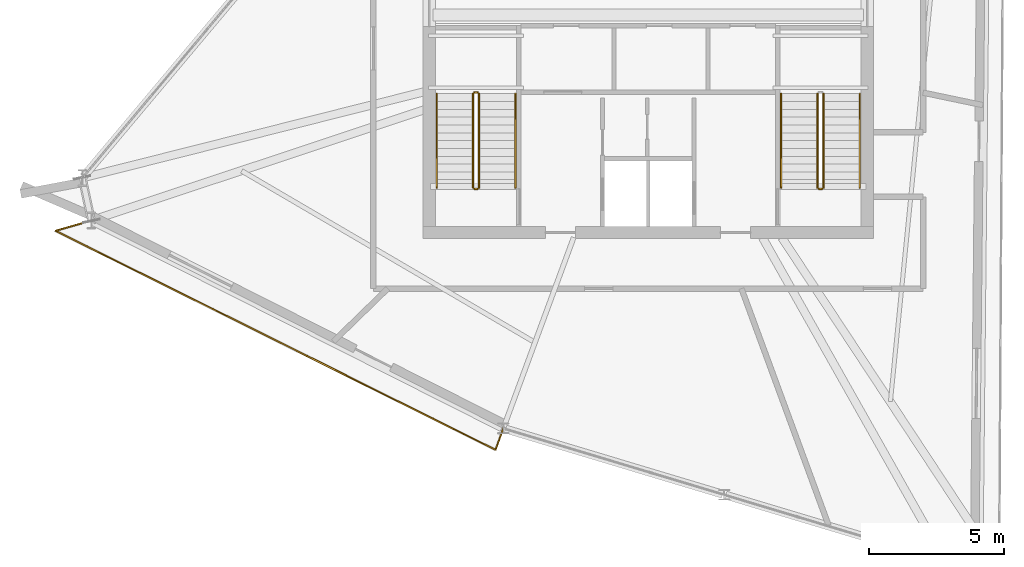
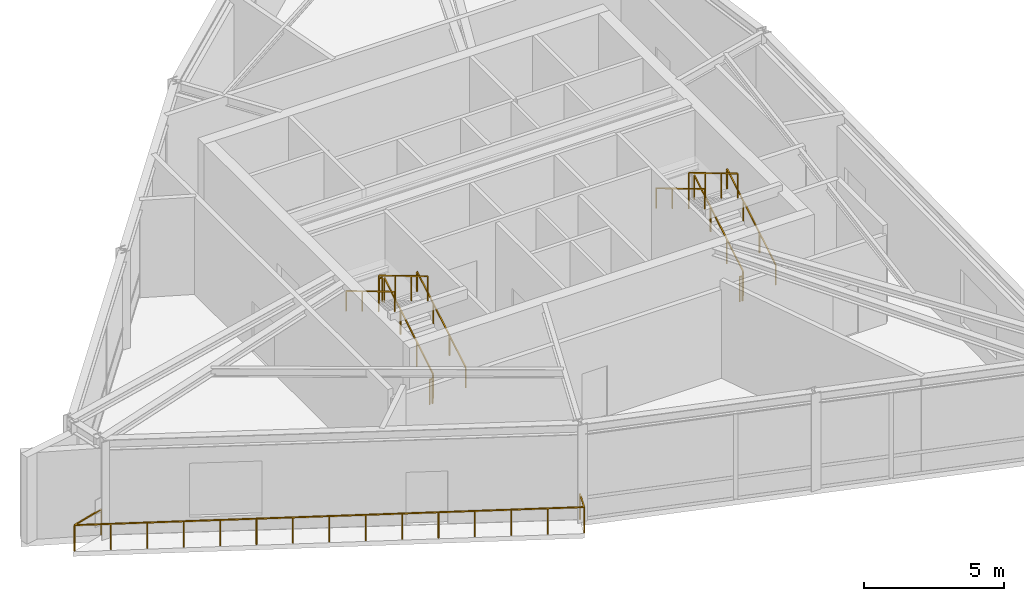
# One storey, part 21 of 23: 12 railings.
"""IFC4 building model written with IfcOpenShell, lengths in metres."""

from ifc_helpers import new_model, si_unit, direction, frame, origin, origin_2d, place, context, subcontext, project, spatial, rectangle, extrude, material, type_object, element, save


model = new_model("IFC4")

# Units and contexts
model_context = context("Model", 3, precision=1e-05, world=origin(), true_north=direction((0.0, 1.0)))
body_context = subcontext(model_context, "Body", "Model", "MODEL_VIEW")
ifc_project = project(units=[si_unit("LENGTHUNIT", "METRE"), si_unit("AREAUNIT", "SQUARE_METRE"), si_unit("VOLUMEUNIT", "CUBIC_METRE"), si_unit("PLANEANGLEUNIT", "RADIAN"), si_unit("MASSUNIT", "GRAM", prefix="KILO")], contexts=[model_context])

# Site, building, storey
site_placement = place(None, origin())
site = spatial("IfcSite", under=ifc_project, at=site_placement, CompositionType="ELEMENT")
building_placement = place(site_placement, origin())
building = spatial("IfcBuilding", under=site, at=building_placement, Name="Olszyna Solenne Hotel", CompositionType="ELEMENT")
storey_placement = place(building_placement, frame((0.0, 0.0, 290.5)))
storey = spatial("IfcBuildingStorey", under=building, at=storey_placement, Name="L77", CompositionType="ELEMENT", Elevation=290.5)

# Railings
ifc_material_1 = material(Name="Anodised bronze aluminium", Category="aluminium")
railing_type_1 = type_object("IfcRailingType", Name="GR-110", PredefinedType="BALUSTRADE", material=ifc_material_1)
railing_1_placement = place(storey_placement, frame((17.33740234375, 19.724609375, 0.0)))
element("IfcRailing", 1, at=railing_1_placement, inside=storey, type_object=railing_type_1, Name="Loggia balcony balustrade guard GR-L77-LG2", PredefinedType="BALUSTRADE", context=body_context, shape_type="SweptSolid", body=[
    extrude(rectangle(XDim=0.048095703125, YDim=0.048095703125, at=origin_2d()), frame((0.0, 0.0, 1.1259765625), z_axis=(-0.960954040681, -0.276708026084, 0.0), x_axis=(0.276708026084, -0.960954040681, 0.0)), (0.0, 0.0, 1.0), 1.379150390625),
    extrude(rectangle(XDim=0.048095703125, YDim=0.048095703125, at=origin_2d()), frame((-1.3251953125, -0.381591796875, 1.1259765625), z_axis=(0.89518125205, -0.445702284017, 0.0), x_axis=(0.445702284017, 0.89518125205, 0.0)), (0.0, 0.0, 1.0), 18.229736328125),
    extrude(rectangle(XDim=0.048095703125, YDim=0.048095703125, at=origin_2d()), frame((14.99365234375, -8.506591796875, 1.1259765625), z_axis=(0.343202747168, 0.939261345067, 0.0), x_axis=(-0.939261345067, 0.343202747168, 0.0)), (0.0, 0.0, 1.0), 0.845703125),
    extrude(rectangle(XDim=0.0419921875, YDim=0.0419921875, at=origin_2d()), origin(), (0.0, 0.0, 1.0), 1.101806640625),
    extrude(rectangle(XDim=0.0419921875, YDim=0.0419921875, at=origin_2d()), frame((-1.3251953125, -0.381591796875, 0.0)), (0.0, 0.0, 1.0), 1.101806640625),
    extrude(rectangle(XDim=0.0419921875, YDim=0.0419921875, at=origin_2d()), frame((-0.15966796875, -0.9619140625, 0.0)), (0.0, 0.0, 1.0), 1.101806640625),
    extrude(rectangle(XDim=0.0419921875, YDim=0.0419921875, at=origin_2d()), frame((1.006103515625, -1.542236328125, 0.0)), (0.0, 0.0, 1.0), 1.101806640625),
    extrude(rectangle(XDim=0.0419921875, YDim=0.0419921875, at=origin_2d()), frame((2.171630859375, -2.12255859375, 0.0)), (0.0, 0.0, 1.0), 1.101806640625),
    extrude(rectangle(XDim=0.0419921875, YDim=0.0419921875, at=origin_2d()), frame((3.33740234375, -2.703125, 0.0)), (0.0, 0.0, 1.0), 1.101806640625),
    extrude(rectangle(XDim=0.0419921875, YDim=0.0419921875, at=origin_2d()), frame((4.5029296875, -3.283447265625, 0.0)), (0.0, 0.0, 1.0), 1.101806640625),
    extrude(rectangle(XDim=0.0419921875, YDim=0.0419921875, at=origin_2d()), frame((5.668701171875, -3.86376953125, 0.0)), (0.0, 0.0, 1.0), 1.101806640625),
    extrude(rectangle(XDim=0.0419921875, YDim=0.0419921875, at=origin_2d()), frame((6.834228515625, -4.444091796875, 0.0)), (0.0, 0.0, 1.0), 1.101806640625),
    extrude(rectangle(XDim=0.0419921875, YDim=0.0419921875, at=origin_2d()), frame((7.999755859375, -5.0244140625, 0.0)), (0.0, 0.0, 1.0), 1.101806640625),
    extrude(rectangle(XDim=0.0419921875, YDim=0.0419921875, at=origin_2d()), frame((9.16552734375, -5.604736328125, 0.0)), (0.0, 0.0, 1.0), 1.101806640625),
    extrude(rectangle(XDim=0.0419921875, YDim=0.0419921875, at=origin_2d()), frame((10.3310546875, -6.18505859375, 0.0)), (0.0, 0.0, 1.0), 1.101806640625),
    extrude(rectangle(XDim=0.0419921875, YDim=0.0419921875, at=origin_2d()), frame((11.496826171875, -6.765625, 0.0)), (0.0, 0.0, 1.0), 1.101806640625),
    extrude(rectangle(XDim=0.0419921875, YDim=0.0419921875, at=origin_2d()), frame((12.662353515625, -7.345947265625, 0.0)), (0.0, 0.0, 1.0), 1.101806640625),
    extrude(rectangle(XDim=0.0419921875, YDim=0.0419921875, at=origin_2d()), frame((13.828125, -7.92626953125, 0.0)), (0.0, 0.0, 1.0), 1.101806640625),
    extrude(rectangle(XDim=0.0419921875, YDim=0.0419921875, at=origin_2d()), frame((14.99365234375, -8.506591796875, 0.0)), (0.0, 0.0, 1.0), 1.101806640625),
    extrude(rectangle(XDim=0.0419921875, YDim=0.0419921875, at=origin_2d()), frame((15.283935546875, -7.712158203125, 0.0)), (0.0, 0.0, 1.0), 1.101806640625),
])
railing_2_placement = place(storey_placement, frame((31.719970703125, 20.949951171875, 0.173095703125)))
element("IfcRailing", 2, at=railing_2_placement, inside=storey, type_object=railing_type_1, Name="L77 ST1 stair guard 1", PredefinedType="BALUSTRADE", context=body_context, shape_type="SweptSolid", body=[
    extrude(rectangle(XDim=0.048095703125, YDim=0.048095703125, at=origin_2d()), frame((0.0, 0.0, 1.076171875), z_axis=(0.0, 0.858697190188, 0.512483302717), x_axis=(-1.0, 0.0, 0.0)), (0.0, 0.0, 1.0), 4.052734375),
    extrude(rectangle(XDim=0.0419921875, YDim=0.0419921875, at=origin_2d()), origin(), (0.0, 0.0, 1.0), 1.052001953125),
    extrude(rectangle(XDim=0.0419921875, YDim=0.0419921875, at=origin_2d()), frame((0.0, 1.159912109375, 0.6923828125)), (0.0, 0.0, 1.0), 1.052001953125),
    extrude(rectangle(XDim=0.0419921875, YDim=0.0419921875, at=origin_2d()), frame((0.0, 2.320068359375, 1.384521484375)), (0.0, 0.0, 1.0), 1.052001953125),
    extrude(rectangle(XDim=0.0419921875, YDim=0.0419921875, at=origin_2d()), frame((0.0, 3.47998046875, 2.076904296875)), (0.0, 0.0, 1.0), 1.052001953125),
])
railing_3_placement = place(storey_placement, frame((31.669921875, 24.47998046875, 2.25)))
element("IfcRailing", 3, at=railing_3_placement, inside=storey, type_object=railing_type_1, Name="L77 ST1 stair guard 2", PredefinedType="BALUSTRADE", context=body_context, shape_type="SweptSolid", body=[
    extrude(rectangle(XDim=0.048095703125, YDim=0.048095703125, at=origin_2d()), frame((0.0, 0.0, 1.076171875), z_axis=(-1.0, 0.0, 0.0), x_axis=(0.0, -1.0, 0.0)), (0.0, 0.0, 1.0), 0.119873046875),
    extrude(rectangle(XDim=0.0419921875, YDim=0.0419921875, at=origin_2d()), origin(), (0.0, 0.0, 1.0), 1.052001953125),
    extrude(rectangle(XDim=0.0419921875, YDim=0.0419921875, at=origin_2d()), frame((-0.119873046875, 0.0, 0.0)), (0.0, 0.0, 1.0), 1.052001953125),
])
railing_4_placement = place(storey_placement, frame((31.5, 24.429931640625, 2.423095703125)))
element("IfcRailing", 4, at=railing_4_placement, inside=storey, type_object=railing_type_1, Name="L77 ST1 stair guard 3", PredefinedType="BALUSTRADE", context=body_context, shape_type="SweptSolid", body=[
    extrude(rectangle(XDim=0.048095703125, YDim=0.048095703125, at=origin_2d()), frame((0.0, 0.0, 1.076171875), z_axis=(0.0, -0.858697190188, 0.512483302717), x_axis=(1.0, 0.0, 0.0)), (0.0, 0.0, 1.0), 4.052734375),
    extrude(rectangle(XDim=0.0419921875, YDim=0.0419921875, at=origin_2d()), origin(), (0.0, 0.0, 1.0), 1.052001953125),
    extrude(rectangle(XDim=0.0419921875, YDim=0.0419921875, at=origin_2d()), frame((0.0, -1.159912109375, 0.6923828125)), (0.0, 0.0, 1.0), 1.052001953125),
    extrude(rectangle(XDim=0.0419921875, YDim=0.0419921875, at=origin_2d()), frame((0.0, -2.320068359375, 1.384521484375)), (0.0, 0.0, 1.0), 1.052001953125),
    extrude(rectangle(XDim=0.0419921875, YDim=0.0419921875, at=origin_2d()), frame((0.0, -3.47998046875, 2.076904296875)), (0.0, 0.0, 1.0), 1.052001953125),
])
railing_5_placement = place(storey_placement, frame((31.669921875, 20.89990234375, 0.0)))
element("IfcRailing", 5, at=railing_5_placement, inside=storey, type_object=railing_type_1, Name="L77 ST1 stair guard 4", PredefinedType="BALUSTRADE", context=body_context, shape_type="SweptSolid", body=[
    extrude(rectangle(XDim=0.048095703125, YDim=0.048095703125, at=origin_2d()), frame((0.0, 0.0, 1.076171875), z_axis=(-1.0, 0.0, 0.0), x_axis=(0.0, -1.0, 0.0)), (0.0, 0.0, 1.0), 0.119873046875),
    extrude(rectangle(XDim=0.0419921875, YDim=0.0419921875, at=origin_2d()), origin(), (0.0, 0.0, 1.0), 1.052001953125),
    extrude(rectangle(XDim=0.0419921875, YDim=0.0419921875, at=origin_2d()), frame((-0.119873046875, 0.0, 0.0)), (0.0, 0.0, 1.0), 1.052001953125),
])
railing_6_placement = place(storey_placement, frame((44.5, 20.949951171875, 0.173095703125)))
element("IfcRailing", 6, at=railing_6_placement, inside=storey, type_object=railing_type_1, Name="L77 ST2 stair guard 1", PredefinedType="BALUSTRADE", context=body_context, shape_type="SweptSolid", body=[
    extrude(rectangle(XDim=0.048095703125, YDim=0.048095703125, at=origin_2d()), frame((0.0, 0.0, 1.076171875), z_axis=(0.0, 0.858697190188, 0.512483302717), x_axis=(-1.0, 0.0, 0.0)), (0.0, 0.0, 1.0), 4.052734375),
    extrude(rectangle(XDim=0.0419921875, YDim=0.0419921875, at=origin_2d()), origin(), (0.0, 0.0, 1.0), 1.052001953125),
    extrude(rectangle(XDim=0.0419921875, YDim=0.0419921875, at=origin_2d()), frame((0.0, 1.159912109375, 0.6923828125)), (0.0, 0.0, 1.0), 1.052001953125),
    extrude(rectangle(XDim=0.0419921875, YDim=0.0419921875, at=origin_2d()), frame((0.0, 2.320068359375, 1.384521484375)), (0.0, 0.0, 1.0), 1.052001953125),
    extrude(rectangle(XDim=0.0419921875, YDim=0.0419921875, at=origin_2d()), frame((0.0, 3.47998046875, 2.076904296875)), (0.0, 0.0, 1.0), 1.052001953125),
])
railing_7_placement = place(storey_placement, frame((44.280029296875, 24.429931640625, 2.423095703125)))
element("IfcRailing", 7, at=railing_7_placement, inside=storey, type_object=railing_type_1, Name="L77 ST2 stair guard 3", PredefinedType="BALUSTRADE", context=body_context, shape_type="SweptSolid", body=[
    extrude(rectangle(XDim=0.048095703125, YDim=0.048095703125, at=origin_2d()), frame((0.0, 0.0, 1.076171875), z_axis=(0.0, -0.858697190188, 0.512483302717), x_axis=(1.0, 0.0, 0.0)), (0.0, 0.0, 1.0), 4.052734375),
    extrude(rectangle(XDim=0.0419921875, YDim=0.0419921875, at=origin_2d()), origin(), (0.0, 0.0, 1.0), 1.052001953125),
    extrude(rectangle(XDim=0.0419921875, YDim=0.0419921875, at=origin_2d()), frame((0.0, -1.159912109375, 0.6923828125)), (0.0, 0.0, 1.0), 1.052001953125),
    extrude(rectangle(XDim=0.0419921875, YDim=0.0419921875, at=origin_2d()), frame((0.0, -2.320068359375, 1.384521484375)), (0.0, 0.0, 1.0), 1.052001953125),
    extrude(rectangle(XDim=0.0419921875, YDim=0.0419921875, at=origin_2d()), frame((0.0, -3.47998046875, 2.076904296875)), (0.0, 0.0, 1.0), 1.052001953125),
])
railing_8_placement = place(storey_placement, frame((44.449951171875, 20.89990234375, 0.0)))
element("IfcRailing", 8, at=railing_8_placement, inside=storey, type_object=railing_type_1, Name="L77 ST2 stair guard 4", PredefinedType="BALUSTRADE", context=body_context, shape_type="SweptSolid", body=[
    extrude(rectangle(XDim=0.048095703125, YDim=0.048095703125, at=origin_2d()), frame((0.0, 0.0, 1.076171875), z_axis=(-1.0, 0.0, 0.0), x_axis=(0.0, -1.0, 0.0)), (0.0, 0.0, 1.0), 0.119873046875),
    extrude(rectangle(XDim=0.0419921875, YDim=0.0419921875, at=origin_2d()), origin(), (0.0, 0.0, 1.0), 1.052001953125),
    extrude(rectangle(XDim=0.0419921875, YDim=0.0419921875, at=origin_2d()), frame((-0.119873046875, 0.0, 0.0)), (0.0, 0.0, 1.0), 1.052001953125),
])
ifc_material_2 = material(Name="Steel S355J2", Category="steel")
railing_type_2 = type_object("IfcRailingType", Name="HR-090", PredefinedType="HANDRAIL", material=ifc_material_2)
railing_9_placement = place(storey_placement, frame((33.070068359375, 20.949951171875, 0.173095703125)))
element("IfcRailing", 9, at=railing_9_placement, inside=storey, type_object=railing_type_2, Name="L77 ST1 stair handrail 1", PredefinedType="HANDRAIL", context=body_context, shape_type="SweptSolid", body=[
    extrude(rectangle(XDim=0.048095703125, YDim=0.048095703125, at=origin_2d()), frame((0.0, 0.0, 0.8759765625), z_axis=(0.0, 0.858697190188, 0.512483302717), x_axis=(-1.0, 0.0, 0.0)), (0.0, 0.0, 1.0), 4.052734375),
    extrude(rectangle(XDim=0.0419921875, YDim=0.0419921875, at=origin_2d()), origin(), (0.0, 0.0, 1.0), 0.851806640625),
    extrude(rectangle(XDim=0.0419921875, YDim=0.0419921875, at=origin_2d()), frame((0.0, 1.159912109375, 0.6923828125)), (0.0, 0.0, 1.0), 0.851806640625),
    extrude(rectangle(XDim=0.0419921875, YDim=0.0419921875, at=origin_2d()), frame((0.0, 2.320068359375, 1.384521484375)), (0.0, 0.0, 1.0), 0.851806640625),
    extrude(rectangle(XDim=0.0419921875, YDim=0.0419921875, at=origin_2d()), frame((0.0, 3.47998046875, 2.076904296875)), (0.0, 0.0, 1.0), 0.851806640625),
])
railing_10_placement = place(storey_placement, frame((30.14990234375, 24.429931640625, 2.423095703125)))
element("IfcRailing", 10, at=railing_10_placement, inside=storey, type_object=railing_type_2, Name="L77 ST1 stair handrail 2", PredefinedType="HANDRAIL", context=body_context, shape_type="SweptSolid", body=[
    extrude(rectangle(XDim=0.048095703125, YDim=0.048095703125, at=origin_2d()), frame((0.0, 0.0, 0.8759765625), z_axis=(0.0, -0.858697190188, 0.512483302717), x_axis=(1.0, 0.0, 0.0)), (0.0, 0.0, 1.0), 4.052734375),
    extrude(rectangle(XDim=0.0419921875, YDim=0.0419921875, at=origin_2d()), origin(), (0.0, 0.0, 1.0), 0.851806640625),
    extrude(rectangle(XDim=0.0419921875, YDim=0.0419921875, at=origin_2d()), frame((0.0, -1.159912109375, 0.6923828125)), (0.0, 0.0, 1.0), 0.851806640625),
    extrude(rectangle(XDim=0.0419921875, YDim=0.0419921875, at=origin_2d()), frame((0.0, -2.320068359375, 1.384521484375)), (0.0, 0.0, 1.0), 0.851806640625),
    extrude(rectangle(XDim=0.0419921875, YDim=0.0419921875, at=origin_2d()), frame((0.0, -3.47998046875, 2.076904296875)), (0.0, 0.0, 1.0), 0.851806640625),
])
railing_11_placement = place(storey_placement, frame((45.85009765625, 20.949951171875, 0.173095703125)))
element("IfcRailing", 11, at=railing_11_placement, inside=storey, type_object=railing_type_2, Name="L77 ST2 stair handrail 1", PredefinedType="HANDRAIL", context=body_context, shape_type="SweptSolid", body=[
    extrude(rectangle(XDim=0.048095703125, YDim=0.048095703125, at=origin_2d()), frame((0.0, 0.0, 0.8759765625), z_axis=(0.0, 0.858697190188, 0.512483302717), x_axis=(-1.0, 0.0, 0.0)), (0.0, 0.0, 1.0), 4.052734375),
    extrude(rectangle(XDim=0.0419921875, YDim=0.0419921875, at=origin_2d()), origin(), (0.0, 0.0, 1.0), 0.851806640625),
    extrude(rectangle(XDim=0.0419921875, YDim=0.0419921875, at=origin_2d()), frame((0.0, 1.159912109375, 0.6923828125)), (0.0, 0.0, 1.0), 0.851806640625),
    extrude(rectangle(XDim=0.0419921875, YDim=0.0419921875, at=origin_2d()), frame((0.0, 2.320068359375, 1.384521484375)), (0.0, 0.0, 1.0), 0.851806640625),
    extrude(rectangle(XDim=0.0419921875, YDim=0.0419921875, at=origin_2d()), frame((0.0, 3.47998046875, 2.076904296875)), (0.0, 0.0, 1.0), 0.851806640625),
])
railing_12_placement = place(storey_placement, frame((42.929931640625, 24.429931640625, 2.423095703125)))
element("IfcRailing", 12, at=railing_12_placement, inside=storey, type_object=railing_type_2, Name="L77 ST2 stair handrail 2", PredefinedType="HANDRAIL", context=body_context, shape_type="SweptSolid", body=[
    extrude(rectangle(XDim=0.048095703125, YDim=0.048095703125, at=origin_2d()), frame((0.0, 0.0, 0.8759765625), z_axis=(0.0, -0.858697190188, 0.512483302717), x_axis=(1.0, 0.0, 0.0)), (0.0, 0.0, 1.0), 4.052734375),
    extrude(rectangle(XDim=0.0419921875, YDim=0.0419921875, at=origin_2d()), origin(), (0.0, 0.0, 1.0), 0.851806640625),
    extrude(rectangle(XDim=0.0419921875, YDim=0.0419921875, at=origin_2d()), frame((0.0, -1.159912109375, 0.6923828125)), (0.0, 0.0, 1.0), 0.851806640625),
    extrude(rectangle(XDim=0.0419921875, YDim=0.0419921875, at=origin_2d()), frame((0.0, -2.320068359375, 1.384521484375)), (0.0, 0.0, 1.0), 0.851806640625),
    extrude(rectangle(XDim=0.0419921875, YDim=0.0419921875, at=origin_2d()), frame((0.0, -3.47998046875, 2.076904296875)), (0.0, 0.0, 1.0), 0.851806640625),
])

save(model, "model.ifc")
